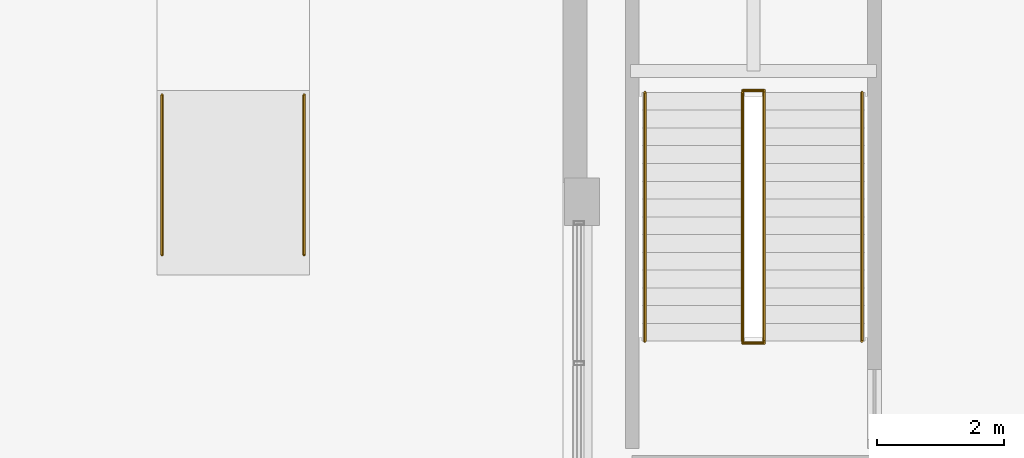
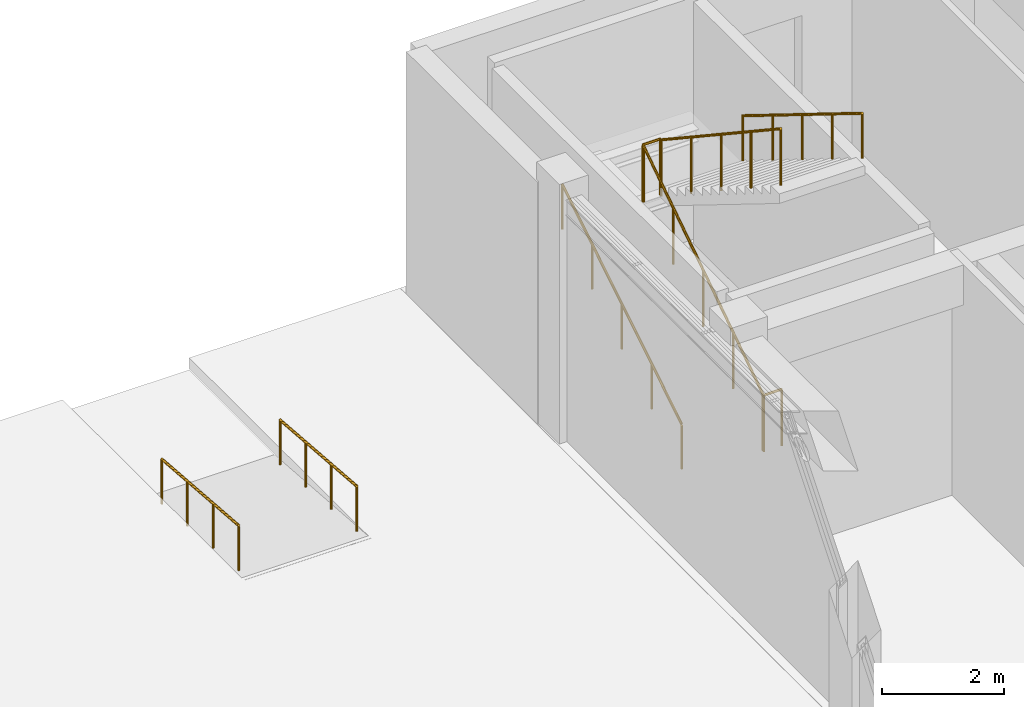
# One storey, part 22 of 24: 8 railings.
"""IFC4 building model written with IfcOpenShell, lengths in metres."""

from ifc_helpers import new_model, si_unit, direction, frame, origin, origin_2d, place, context, subcontext, project, spatial, circle, extrude, material, type_object, element, save


model = new_model("IFC4")

# Units and contexts
model_context = context("Model", 3, precision=1e-05, world=origin(), true_north=direction((0.0, 1.0)))
body_context = subcontext(model_context, "Body", "Model", "MODEL_VIEW")
ifc_project = project(units=[si_unit("LENGTHUNIT", "METRE"), si_unit("AREAUNIT", "SQUARE_METRE"), si_unit("VOLUMEUNIT", "CUBIC_METRE"), si_unit("PLANEANGLEUNIT", "RADIAN"), si_unit("MASSUNIT", "GRAM", prefix="KILO")], contexts=[model_context])

# Site, building, storey
site_placement = place(None, origin())
site = spatial("IfcSite", under=ifc_project, at=site_placement, CompositionType="ELEMENT")
building_placement = place(site_placement, origin())
building = spatial("IfcBuilding", under=site, at=building_placement, Name="Norrvale University Quadrangle", CompositionType="ELEMENT")
storey_placement = place(building_placement, origin())
storey = spatial("IfcBuildingStorey", under=building, at=storey_placement, Name="L00", CompositionType="ELEMENT", Elevation=0.0)

# Railings
ifc_material_1 = material(Name="Steel 350W Painted Balustrade", Category="steel")
railing_type_1 = type_object("IfcRailingType", Name="Railing Stair Guard 1100", PredefinedType="GUARDRAIL", material=ifc_material_1)
for number, where, name in (
    (1, (88.030029296875, 50.570068359375, 0.0), "Stair Floor Well Guard ST-L3 L00"),
    (2, (88.030029296875, 54.550048828125, 2.60009765625), "Stair Mid-Landing Slot Guard ST-L3 L00"),
):
    element("IfcRailing", number, at=place(storey_placement, frame(where)), inside=storey, type_object=railing_type_1, Name=name, PredefinedType="GUARDRAIL", context=body_context, shape_type="SweptSolid", body=[
        extrude(circle(Radius=0.02392578125, at=origin_2d()), frame((0.0, 0.0, 1.1259765625), z_axis=(1.0, 0.0, 0.0), x_axis=(0.0, 1.0, 0.0)), (0.0, 0.0, 1.0), 0.340087890625),
        extrude(circle(Radius=0.02099609375, at=origin_2d()), origin(), (0.0, 0.0, 1.0), 1.101806640625),
        extrude(circle(Radius=0.02099609375, at=origin_2d()), frame((0.340087890625, 0.0, 0.0)), (0.0, 0.0, 1.0), 1.101806640625),
    ])
railing_1_placement = place(storey_placement, frame((88.030029296875, 50.60009765625, 0.0)))
element("IfcRailing", 3, at=railing_1_placement, inside=storey, type_object=railing_type_1, Name="Stair Lower Flight Inner Guard ST-L3 L00", PredefinedType="GUARDRAIL", context=body_context, shape_type="SweptSolid", body=[
    extrude(circle(Radius=0.02392578125, at=origin_2d()), frame((0.0, 0.0, 1.1259765625), z_axis=(0.0, 0.833341594215, 0.552758344444), x_axis=(-1.0, 0.0, 0.0)), (0.0, 0.0, 1.0), 4.703857421875),
    extrude(circle(Radius=0.02099609375, at=origin_2d()), origin(), (0.0, 0.0, 1.0), 1.101806640625),
    extrude(circle(Radius=0.02099609375, at=origin_2d()), frame((0.0, 0.97998046875, 0.64990234375)), (0.0, 0.0, 1.0), 1.101806640625),
    extrude(circle(Radius=0.02099609375, at=origin_2d()), frame((0.0, 1.9599609375, 1.300048828125)), (0.0, 0.0, 1.0), 1.101806640625),
    extrude(circle(Radius=0.02099609375, at=origin_2d()), frame((0.0, 2.93994140625, 1.9501953125)), (0.0, 0.0, 1.0), 1.101806640625),
    extrude(circle(Radius=0.02099609375, at=origin_2d()), frame((0.0, 3.919921875, 2.60009765625)), (0.0, 0.0, 1.0), 1.101806640625),
])
railing_2_placement = place(storey_placement, frame((88.3701171875, 54.52001953125, 2.60009765625)))
element("IfcRailing", 4, at=railing_2_placement, inside=storey, type_object=railing_type_1, Name="Stair Upper Flight Inner Guard ST-L3 L00", PredefinedType="GUARDRAIL", context=body_context, shape_type="SweptSolid", body=[
    extrude(circle(Radius=0.02392578125, at=origin_2d()), frame((0.0, 0.0, 1.1259765625), z_axis=(0.0, -0.833365502166, 0.552722298989), x_axis=(1.0, 0.0, 0.0)), (0.0, 0.0, 1.0), 4.70361328125),
    extrude(circle(Radius=0.02099609375, at=origin_2d()), origin(), (0.0, 0.0, 1.0), 1.101806640625),
    extrude(circle(Radius=0.02099609375, at=origin_2d()), frame((0.0, -0.97998046875, 0.64990234375)), (0.0, 0.0, 1.0), 1.101806640625),
    extrude(circle(Radius=0.02099609375, at=origin_2d()), frame((0.0, -1.9599609375, 1.2998046875)), (0.0, 0.0, 1.0), 1.101806640625),
    extrude(circle(Radius=0.02099609375, at=origin_2d()), frame((0.0, -2.93994140625, 1.949951171875)), (0.0, 0.0, 1.0), 1.101806640625),
    extrude(circle(Radius=0.02099609375, at=origin_2d()), frame((0.0, -3.919921875, 2.599853515625)), (0.0, 0.0, 1.0), 1.101806640625),
])
ifc_material_2 = material(Name="Stainless Steel 316L Handrail", Category="steel")
railing_type_2 = type_object("IfcRailingType", Name="Railing Stair Handrail 920", PredefinedType="HANDRAIL", material=ifc_material_2)
for number, where, name in (
    (5, (81.1201171875, 54.47998046875, -0.219970703125), "Accessible Plaza Ramp Handrail Q1-L"),
    (6, (78.8798828125, 54.47998046875, -0.219970703125), "Accessible Plaza Ramp Handrail Q1-R"),
):
    element("IfcRailing", number, at=place(storey_placement, frame(where)), inside=storey, type_object=railing_type_2, Name=name, PredefinedType="HANDRAIL", context=body_context, shape_type="SweptSolid", body=[
        extrude(circle(Radius=0.02392578125, at=origin_2d()), frame((0.0, 0.0, 0.89599609375), z_axis=(0.0, -0.996866964112, 0.079096497152), x_axis=(1.0, 0.0, 0.0)), (0.0, 0.0, 1.0), 2.52783203125),
        extrude(circle(Radius=0.02099609375, at=origin_2d()), origin(), (0.0, 0.0, 1.0), 0.871826171875),
        extrude(circle(Radius=0.02099609375, at=origin_2d()), frame((0.0, -0.840087890625, 0.066650390625)), (0.0, 0.0, 1.0), 0.871826171875),
        extrude(circle(Radius=0.02099609375, at=origin_2d()), frame((0.0, -1.679931640625, 0.13330078125)), (0.0, 0.0, 1.0), 0.871826171875),
        extrude(circle(Radius=0.02099609375, at=origin_2d()), frame((0.0, -2.52001953125, 0.199951171875)), (0.0, 0.0, 1.0), 0.871826171875),
    ])
railing_3_placement = place(storey_placement, frame((86.489990234375, 50.60009765625, 0.17333984375)))
element("IfcRailing", 7, at=railing_3_placement, inside=storey, type_object=railing_type_2, Name="Stair Lower Flight Handrail ST-L3 L00", PredefinedType="HANDRAIL", context=body_context, shape_type="SweptSolid", body=[
    extrude(circle(Radius=0.02392578125, at=origin_2d()), frame((0.0, 0.0, 0.89599609375), z_axis=(0.0, 0.850251603719, 0.526376491091), x_axis=(-1.0, 0.0, 0.0)), (0.0, 0.0, 1.0), 4.6103515625),
    extrude(circle(Radius=0.02099609375, at=origin_2d()), origin(), (0.0, 0.0, 1.0), 0.871826171875),
    extrude(circle(Radius=0.02099609375, at=origin_2d()), frame((0.0, 0.97998046875, 0.606689453125)), (0.0, 0.0, 1.0), 0.871826171875),
    extrude(circle(Radius=0.02099609375, at=origin_2d()), frame((0.0, 1.9599609375, 1.21337890625)), (0.0, 0.0, 1.0), 0.871826171875),
    extrude(circle(Radius=0.02099609375, at=origin_2d()), frame((0.0, 2.93994140625, 1.820068359375)), (0.0, 0.0, 1.0), 0.871826171875),
    extrude(circle(Radius=0.02099609375, at=origin_2d()), frame((0.0, 3.919921875, 2.4267578125)), (0.0, 0.0, 1.0), 0.871826171875),
])
railing_4_placement = place(storey_placement, frame((89.909912109375, 54.52001953125, 2.773193359375)))
element("IfcRailing", 8, at=railing_4_placement, inside=storey, type_object=railing_type_2, Name="Stair Upper Flight Handrail ST-L3 L00", PredefinedType="HANDRAIL", context=body_context, shape_type="SweptSolid", body=[
    extrude(circle(Radius=0.02392578125, at=origin_2d()), frame((0.0, 0.0, 0.89599609375), z_axis=(0.0, -0.850251603719, 0.526376491091), x_axis=(1.0, 0.0, 0.0)), (0.0, 0.0, 1.0), 4.6103515625),
    extrude(circle(Radius=0.02099609375, at=origin_2d()), origin(), (0.0, 0.0, 1.0), 0.871826171875),
    extrude(circle(Radius=0.02099609375, at=origin_2d()), frame((0.0, -0.97998046875, 0.606689453125)), (0.0, 0.0, 1.0), 0.871826171875),
    extrude(circle(Radius=0.02099609375, at=origin_2d()), frame((0.0, -1.9599609375, 1.21337890625)), (0.0, 0.0, 1.0), 0.871826171875),
    extrude(circle(Radius=0.02099609375, at=origin_2d()), frame((0.0, -2.93994140625, 1.820068359375)), (0.0, 0.0, 1.0), 0.871826171875),
    extrude(circle(Radius=0.02099609375, at=origin_2d()), frame((0.0, -3.919921875, 2.4267578125)), (0.0, 0.0, 1.0), 0.871826171875),
])

save(model, "model.ifc")
